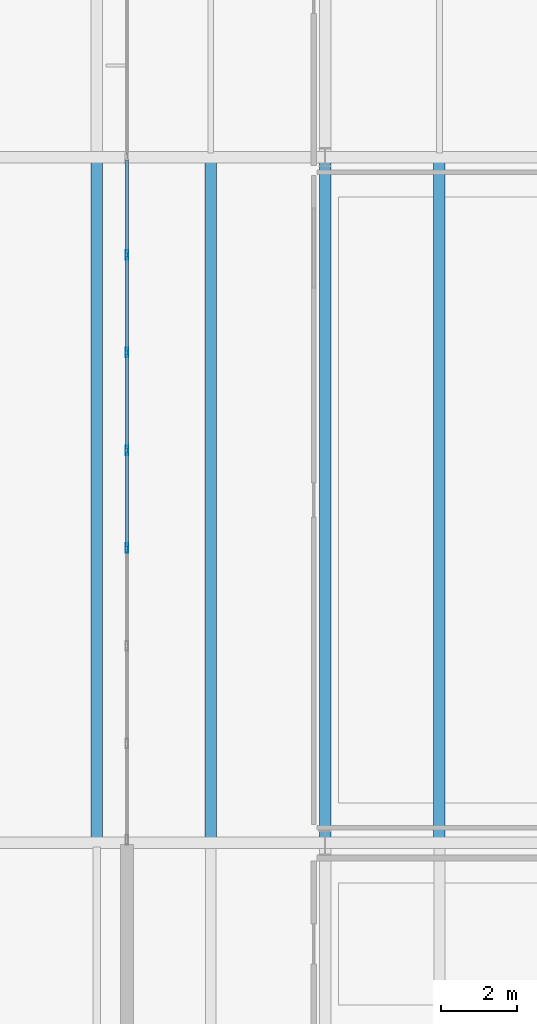
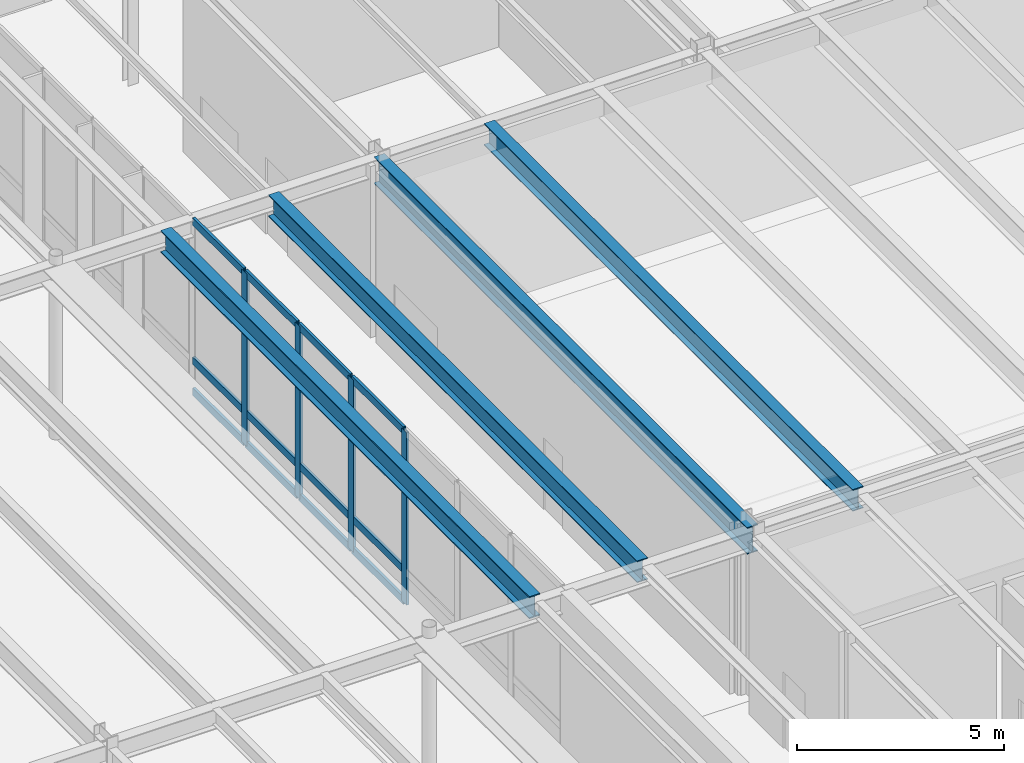
# One storey, part 46 of 143: 16 members, 4 beams, 1 element without a shape of its own.
"""IFC4 building model written with IfcOpenShell, lengths in metres."""

from ifc_helpers import new_model, si_unit, direction, frame, origin, origin_2d, place, context, subcontext, project, spatial, hollow_rectangle, i_section, extrude, material, layer, layer_set, material_profile, profile_set, type_object, element, aggregate, save


model = new_model("IFC4")

# Units and contexts
model_context = context("Model", 3, precision=1e-05, world=origin(), true_north=direction((0.0, 1.0)))
body_context = subcontext(model_context, "Body", "Model", "MODEL_VIEW")
ifc_project = project(units=[si_unit("LENGTHUNIT", "METRE"), si_unit("AREAUNIT", "SQUARE_METRE"), si_unit("VOLUMEUNIT", "CUBIC_METRE"), si_unit("PLANEANGLEUNIT", "RADIAN"), si_unit("MASSUNIT", "GRAM", prefix="KILO")], contexts=[model_context])

# Site, building, storey
site_placement = place(None, origin())
site = spatial("IfcSite", under=ifc_project, at=site_placement, CompositionType="ELEMENT")
building_placement = place(site_placement, origin())
building = spatial("IfcBuilding", under=site, at=building_placement, Name="Montelvaro Courts of Justice", CompositionType="ELEMENT")
storey_placement = place(building_placement, origin())
storey = spatial("IfcBuildingStorey", under=building, at=storey_placement, Name="L00", CompositionType="ELEMENT", Elevation=0.0)

# Beams
ifc_material_1 = material(Name="Steel S355", Category="steel")
ifc_material_profile_1 = material_profile(ifc_material_1, i_section(OverallWidth=0.300048828125, OverallDepth=0.639892578125, WebThickness=0.013427734375, FlangeThickness=0.02587890625, at=origin_2d()), Name="HEA 650")
ifc_profile_set_1 = profile_set([ifc_material_profile_1], Name="Steel S355")
beam_type_1 = type_object("IfcBeamType", Name="Beam_HEA650", PredefinedType="USERDEFINED", material=ifc_profile_set_1)
for number, where, z_axis, x_axis, name in (
    (1, (105.0, 24.110107421875, 4.800048828125), (0.0, 1.0, 0.0), (-1.0, 0.0, 0.0), "Beam B-22 L00"),
    (2, (111.0, 24.110107421875, 4.800048828125), (0.0, 1.0, 0.0), (-1.0, 0.0, 0.0), "Beam B-22 L00"),
):
    element("IfcBeam", number, at=place(storey_placement, frame(where, z_axis=z_axis, x_axis=x_axis)), inside=storey, type_object=beam_type_1, Name=name, ObjectType="GIRDER", PredefinedType="USERDEFINED", context=body_context, shape_type="SweptSolid", body=[
        extrude(i_section(OverallWidth=0.300048828125, OverallDepth=0.639892578125, WebThickness=0.013427734375, FlangeThickness=0.02587890625, at=origin_2d()), origin(), (0.0, 0.0, 1.0), 17.77978515625),
    ])
ifc_material_profile_2 = material_profile(ifc_material_1, i_section(OverallWidth=0.300048828125, OverallDepth=0.7900390625, WebThickness=0.014892578125, FlangeThickness=0.028076171875, at=origin_2d()), Name="HEA 800")
ifc_profile_set_2 = profile_set([ifc_material_profile_2], Name="Steel S355")
beam_type_2 = type_object("IfcBeamType", Name="Beam_HEA800", PredefinedType="USERDEFINED", material=ifc_profile_set_2)
beam_1_placement = place(storey_placement, frame((108.0, 24.0, 4.72509765625), z_axis=(0.0, 1.0, 0.0), x_axis=(-1.0, 0.0, 0.0)))
element("IfcBeam", 3, at=beam_1_placement, inside=storey, type_object=beam_type_2, Name="Beam B-24 L00", ObjectType="GIRDER", PredefinedType="USERDEFINED", context=body_context, shape_type="SweptSolid", body=[
    extrude(i_section(OverallWidth=0.300048828125, OverallDepth=0.7900390625, WebThickness=0.014892578125, FlangeThickness=0.028076171875, at=origin_2d()), origin(), (0.0, 0.0, 1.0), 18.0),
])
ifc_material_profile_3 = material_profile(ifc_material_1, i_section(OverallWidth=0.300048828125, OverallDepth=0.64990234375, WebThickness=0.01611328125, FlangeThickness=0.031005859375, at=origin_2d()), Name="HEB 650")
ifc_profile_set_3 = profile_set([ifc_material_profile_3], Name="Steel S355")
beam_type_3 = type_object("IfcBeamType", Name="Beam_HEB650", PredefinedType="USERDEFINED", material=ifc_profile_set_3)
beam_2_placement = place(storey_placement, frame((102.0, 24.110107421875, 4.794921875), z_axis=(0.0, 1.0, 0.0), x_axis=(-1.0, 0.0, 0.0)))
element("IfcBeam", 4, at=beam_2_placement, inside=storey, type_object=beam_type_3, Name="Beam B-27 L00", ObjectType="GIRDER", PredefinedType="USERDEFINED", context=body_context, shape_type="SweptSolid", body=[
    extrude(i_section(OverallWidth=0.300048828125, OverallDepth=0.64990234375, WebThickness=0.01611328125, FlangeThickness=0.031005859375, at=origin_2d()), origin(), (0.0, 0.0, 1.0), 17.77978515625),
])

# Curtain wall, members
ifc_material_2 = material(Name="Anodised aluminium EN AW-6063", Category="aluminium")
ifc_layer = layer(ifc_material_2, 0.159912109375)
ifc_layer_set = layer_set([ifc_layer], Name="Anodised aluminium EN AW-6063")
curtain_wall_type = type_object("IfcCurtainWallType", Name="CurtainWall_09_1796x508", PredefinedType="USERDEFINED", material=ifc_layer_set)
curtain_wall_placement = place(storey_placement, origin())
curtain_wall = element("IfcCurtainWall", 5, at=curtain_wall_placement, inside=storey, type_object=curtain_wall_type, Name="Curtain Wall CW-09 (L00)", ObjectType="CURTAIN WALL", PredefinedType="USERDEFINED")
ifc_material_profile_4 = material_profile(ifc_material_2, hollow_rectangle(XDim=0.074951171875, YDim=0.25, WallThickness=0.005615234375, at=origin_2d()), Name="ALU-M 75x250")
ifc_profile_set_4 = profile_set([ifc_material_profile_4], Name="Anodised aluminium EN AW-6063")
member_type_1 = type_object("IfcMemberType", Name="CurtainWall_Mullion_75x250", PredefinedType="MULLION", material=ifc_profile_set_4)
member_1_placement = place(storey_placement, frame((102.800048828125, 39.434326171875, 0.0), z_axis=(0.0, 0.0, 1.0), x_axis=(1.0, 0.0, 0.0)))
member_1 = element("IfcMember", 6, at=member_1_placement, type_object=member_type_1, Name="CW-09 mullion 2", PredefinedType="MULLION", context=body_context, shape_type="SweptSolid", body=[
    extrude(hollow_rectangle(XDim=0.074951171875, YDim=0.25, WallThickness=0.005615234375, at=origin_2d()), origin(), (0.0, 0.0, 1.0), 5.080078125),
])
member_2_placement = place(storey_placement, frame((102.800048828125, 36.86865234375, 0.0), z_axis=(0.0, 0.0, 1.0), x_axis=(1.0, 0.0, 0.0)))
member_2 = element("IfcMember", 7, at=member_2_placement, type_object=member_type_1, Name="CW-09 mullion 3", PredefinedType="MULLION", context=body_context, shape_type="SweptSolid", body=[
    extrude(hollow_rectangle(XDim=0.074951171875, YDim=0.25, WallThickness=0.005615234375, at=origin_2d()), origin(), (0.0, 0.0, 1.0), 5.080078125),
])
member_3_placement = place(storey_placement, frame((102.800048828125, 34.302978515625, 0.0), z_axis=(0.0, 0.0, 1.0), x_axis=(1.0, 0.0, 0.0)))
member_3 = element("IfcMember", 8, at=member_3_placement, type_object=member_type_1, Name="CW-09 mullion 4", PredefinedType="MULLION", context=body_context, shape_type="SweptSolid", body=[
    extrude(hollow_rectangle(XDim=0.074951171875, YDim=0.25, WallThickness=0.005615234375, at=origin_2d()), origin(), (0.0, 0.0, 1.0), 5.080078125),
])
member_4_placement = place(storey_placement, frame((102.800048828125, 31.737060546875, 0.0), z_axis=(0.0, 0.0, 1.0), x_axis=(1.0, 0.0, 0.0)))
member_4 = element("IfcMember", 9, at=member_4_placement, type_object=member_type_1, Name="CW-09 mullion 5", PredefinedType="MULLION", context=body_context, shape_type="SweptSolid", body=[
    extrude(hollow_rectangle(XDim=0.074951171875, YDim=0.25, WallThickness=0.005615234375, at=origin_2d()), origin(), (0.0, 0.0, 1.0), 5.080078125),
])
ifc_material_profile_5 = material_profile(ifc_material_2, hollow_rectangle(XDim=0.074951171875, YDim=0.219970703125, WallThickness=0.005615234375, at=origin_2d()), Name="ALU-T 75x220")
ifc_profile_set_5 = profile_set([ifc_material_profile_5], Name="Anodised aluminium EN AW-6063")
member_type_2 = type_object("IfcMemberType", Name="CurtainWall_Transom_75x220", PredefinedType="USERDEFINED", material=ifc_profile_set_5)
member_5_placement = place(storey_placement, frame((102.800048828125, 41.925048828125, 0.03759765625), z_axis=(0.0, -1.0, 0.0), x_axis=(1.0, 0.0, 0.0)))
member_5 = element("IfcMember", 10, at=member_5_placement, type_object=member_type_2, Name="CW-09 transom 1.1", ObjectType="TRANSOM", PredefinedType="USERDEFINED", context=body_context, shape_type="SweptSolid", body=[
    extrude(hollow_rectangle(XDim=0.074951171875, YDim=0.219970703125, WallThickness=0.005615234375, at=origin_2d()), origin(), (0.0, 0.0, 1.0), 2.453369140625),
])
member_6_placement = place(storey_placement, frame((102.800048828125, 41.925048828125, 0.949951171875), z_axis=(0.0, -1.0, 0.0), x_axis=(1.0, 0.0, 0.0)))
member_6 = element("IfcMember", 11, at=member_6_placement, type_object=member_type_2, Name="CW-09 transom 1.2", ObjectType="TRANSOM", PredefinedType="USERDEFINED", context=body_context, shape_type="SweptSolid", body=[
    extrude(hollow_rectangle(XDim=0.074951171875, YDim=0.219970703125, WallThickness=0.005615234375, at=origin_2d()), origin(), (0.0, 0.0, 1.0), 2.453369140625),
])
member_7_placement = place(storey_placement, frame((102.800048828125, 41.925048828125, 5.04248046875), z_axis=(0.0, -1.0, 0.0), x_axis=(1.0, 0.0, 0.0)))
member_7 = element("IfcMember", 12, at=member_7_placement, type_object=member_type_2, Name="CW-09 transom 1.3", ObjectType="TRANSOM", PredefinedType="USERDEFINED", context=body_context, shape_type="SweptSolid", body=[
    extrude(hollow_rectangle(XDim=0.074951171875, YDim=0.219970703125, WallThickness=0.005615234375, at=origin_2d()), origin(), (0.0, 0.0, 1.0), 2.453369140625),
])
member_8_placement = place(storey_placement, frame((102.800048828125, 39.396728515625, 0.03759765625), z_axis=(0.0, -1.0, 0.0), x_axis=(1.0, 0.0, 0.0)))
member_8 = element("IfcMember", 13, at=member_8_placement, type_object=member_type_2, Name="CW-09 transom 2.1", ObjectType="TRANSOM", PredefinedType="USERDEFINED", context=body_context, shape_type="SweptSolid", body=[
    extrude(hollow_rectangle(XDim=0.074951171875, YDim=0.219970703125, WallThickness=0.005615234375, at=origin_2d()), origin(), (0.0, 0.0, 1.0), 2.49072265625),
])
member_9_placement = place(storey_placement, frame((102.800048828125, 39.396728515625, 0.949951171875), z_axis=(0.0, -1.0, 0.0), x_axis=(1.0, 0.0, 0.0)))
member_9 = element("IfcMember", 14, at=member_9_placement, type_object=member_type_2, Name="CW-09 transom 2.2", ObjectType="TRANSOM", PredefinedType="USERDEFINED", context=body_context, shape_type="SweptSolid", body=[
    extrude(hollow_rectangle(XDim=0.074951171875, YDim=0.219970703125, WallThickness=0.005615234375, at=origin_2d()), origin(), (0.0, 0.0, 1.0), 2.49072265625),
])
member_10_placement = place(storey_placement, frame((102.800048828125, 39.396728515625, 5.04248046875), z_axis=(0.0, -1.0, 0.0), x_axis=(1.0, 0.0, 0.0)))
member_10 = element("IfcMember", 15, at=member_10_placement, type_object=member_type_2, Name="CW-09 transom 2.3", ObjectType="TRANSOM", PredefinedType="USERDEFINED", context=body_context, shape_type="SweptSolid", body=[
    extrude(hollow_rectangle(XDim=0.074951171875, YDim=0.219970703125, WallThickness=0.005615234375, at=origin_2d()), origin(), (0.0, 0.0, 1.0), 2.49072265625),
])
member_11_placement = place(storey_placement, frame((102.800048828125, 36.8310546875, 0.03759765625), z_axis=(0.0, -1.0, 0.0), x_axis=(1.0, 0.0, 0.0)))
member_11 = element("IfcMember", 16, at=member_11_placement, type_object=member_type_2, Name="CW-09 transom 3.1", ObjectType="TRANSOM", PredefinedType="USERDEFINED", context=body_context, shape_type="SweptSolid", body=[
    extrude(hollow_rectangle(XDim=0.074951171875, YDim=0.219970703125, WallThickness=0.005615234375, at=origin_2d()), origin(), (0.0, 0.0, 1.0), 2.49072265625),
])
member_12_placement = place(storey_placement, frame((102.800048828125, 36.8310546875, 0.949951171875), z_axis=(0.0, -1.0, 0.0), x_axis=(1.0, 0.0, 0.0)))
member_12 = element("IfcMember", 17, at=member_12_placement, type_object=member_type_2, Name="CW-09 transom 3.2", ObjectType="TRANSOM", PredefinedType="USERDEFINED", context=body_context, shape_type="SweptSolid", body=[
    extrude(hollow_rectangle(XDim=0.074951171875, YDim=0.219970703125, WallThickness=0.005615234375, at=origin_2d()), origin(), (0.0, 0.0, 1.0), 2.49072265625),
])
member_13_placement = place(storey_placement, frame((102.800048828125, 36.8310546875, 5.04248046875), z_axis=(0.0, -1.0, 0.0), x_axis=(1.0, 0.0, 0.0)))
member_13 = element("IfcMember", 18, at=member_13_placement, type_object=member_type_2, Name="CW-09 transom 3.3", ObjectType="TRANSOM", PredefinedType="USERDEFINED", context=body_context, shape_type="SweptSolid", body=[
    extrude(hollow_rectangle(XDim=0.074951171875, YDim=0.219970703125, WallThickness=0.005615234375, at=origin_2d()), origin(), (0.0, 0.0, 1.0), 2.49072265625),
])
member_14_placement = place(storey_placement, frame((102.800048828125, 34.265380859375, 0.03759765625), z_axis=(0.0, -1.0, 0.0), x_axis=(1.0, 0.0, 0.0)))
member_14 = element("IfcMember", 19, at=member_14_placement, type_object=member_type_2, Name="CW-09 transom 4.1", ObjectType="TRANSOM", PredefinedType="USERDEFINED", context=body_context, shape_type="SweptSolid", body=[
    extrude(hollow_rectangle(XDim=0.074951171875, YDim=0.219970703125, WallThickness=0.005615234375, at=origin_2d()), origin(), (0.0, 0.0, 1.0), 2.49072265625),
])
member_15_placement = place(storey_placement, frame((102.800048828125, 34.265380859375, 0.949951171875), z_axis=(0.0, -1.0, 0.0), x_axis=(1.0, 0.0, 0.0)))
member_15 = element("IfcMember", 20, at=member_15_placement, type_object=member_type_2, Name="CW-09 transom 4.2", ObjectType="TRANSOM", PredefinedType="USERDEFINED", context=body_context, shape_type="SweptSolid", body=[
    extrude(hollow_rectangle(XDim=0.074951171875, YDim=0.219970703125, WallThickness=0.005615234375, at=origin_2d()), origin(), (0.0, 0.0, 1.0), 2.49072265625),
])
member_16_placement = place(storey_placement, frame((102.800048828125, 34.265380859375, 5.04248046875), z_axis=(0.0, -1.0, 0.0), x_axis=(1.0, 0.0, 0.0)))
member_16 = element("IfcMember", 21, at=member_16_placement, type_object=member_type_2, Name="CW-09 transom 4.3", ObjectType="TRANSOM", PredefinedType="USERDEFINED", context=body_context, shape_type="SweptSolid", body=[
    extrude(hollow_rectangle(XDim=0.074951171875, YDim=0.219970703125, WallThickness=0.005615234375, at=origin_2d()), origin(), (0.0, 0.0, 1.0), 2.49072265625),
])
aggregate(curtain_wall, [member_1, member_2, member_3, member_4, member_5, member_6, member_7, member_8, member_9, member_10, member_11, member_12, member_13, member_14, member_15, member_16])

save(model, "model.ifc")
